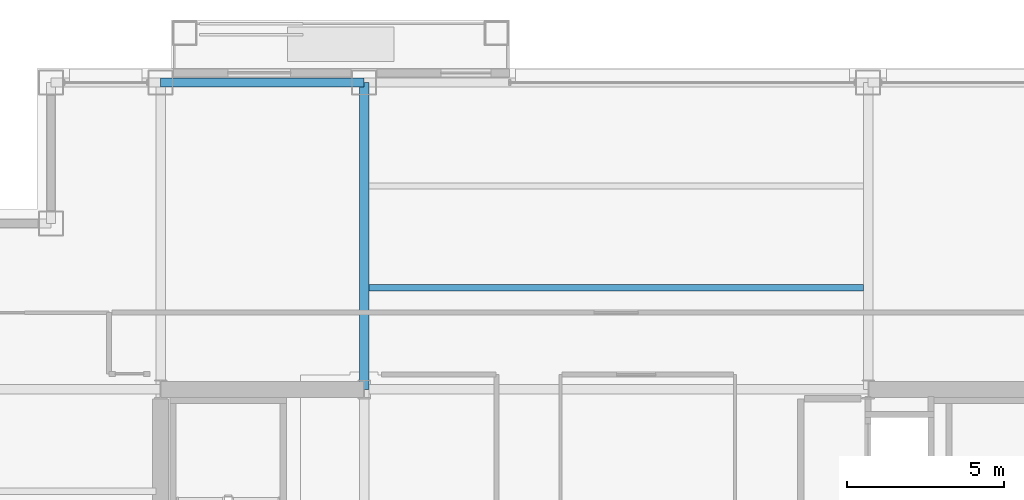
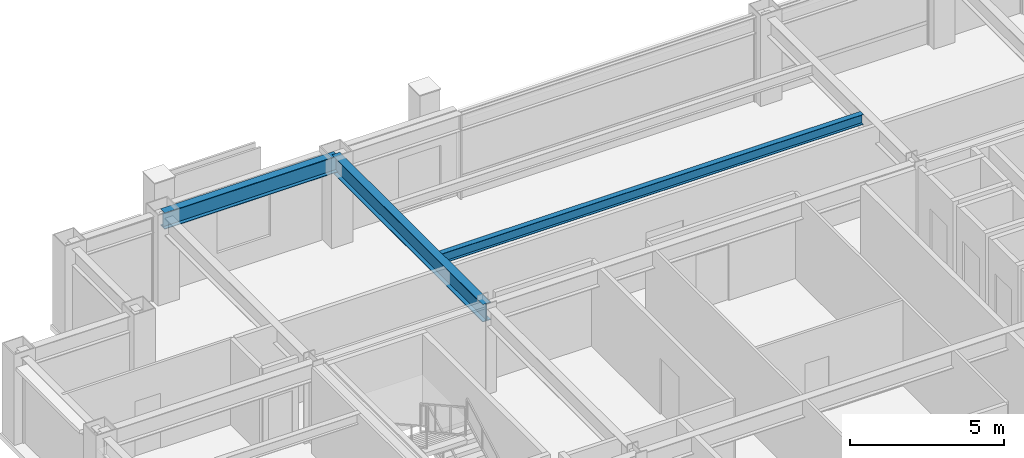
# One storey, part 18 of 29: 3 beams.
"""IFC4 building model written with IfcOpenShell, lengths in metres."""

from ifc_helpers import new_model, si_unit, direction, frame, origin, origin_2d, place, context, subcontext, project, spatial, i_section, extrude, material, material_profile, profile_set, type_object, element, save


model = new_model("IFC4")

# Units and contexts
model_context = context("Model", 3, precision=1e-05, world=origin(), true_north=direction((0.0, 1.0)))
body_context = subcontext(model_context, "Body", "Model", "MODEL_VIEW")
ifc_project = project(units=[si_unit("LENGTHUNIT", "METRE"), si_unit("AREAUNIT", "SQUARE_METRE"), si_unit("VOLUMEUNIT", "CUBIC_METRE"), si_unit("PLANEANGLEUNIT", "RADIAN"), si_unit("MASSUNIT", "GRAM", prefix="KILO")], contexts=[model_context])

# Site, building, storey
site_placement = place(None, origin())
site = spatial("IfcSite", under=ifc_project, at=site_placement, CompositionType="ELEMENT")
building_placement = place(site_placement, origin())
building = spatial("IfcBuilding", under=site, at=building_placement, Name="Brelmoor Portico Tower", CompositionType="ELEMENT")
storey_placement = place(building_placement, frame((0.0, 0.0, 127.800048828125)))
storey = spatial("IfcBuildingStorey", under=building, at=storey_placement, Name="L33", CompositionType="ELEMENT", Elevation=127.800048828125)

# Beams
ifc_material = material(Name="Steel Q355B", Category="steel")
ifc_material_profile_1 = material_profile(ifc_material, i_section(OverallWidth=0.199951171875, OverallDepth=0.39990234375, WebThickness=0.008056640625, FlangeThickness=0.012939453125, at=origin_2d()), Name="HN 400x200x8x13")
ifc_profile_set_1 = profile_set([ifc_material_profile_1], Name="Steel Q355B")
beam_type_1 = type_object("IfcBeamType", Name="BM-JS-400", PredefinedType="JOIST", material=ifc_profile_set_1)
beam_1_placement = place(storey_placement, frame((-7.89990234375, 13.0, 3.199951171875), z_axis=(1.0, 0.0, 0.0), x_axis=(0.0, 1.0, 0.0)))
element("IfcBeam", 1, at=beam_1_placement, inside=storey, type_object=beam_type_1, Name="L33 Secondary Composite Joist JS-C03", PredefinedType="JOIST", context=body_context, shape_type="SweptSolid", body=[
    extrude(i_section(OverallWidth=0.199951171875, OverallDepth=0.39990234375, WebThickness=0.008056640625, FlangeThickness=0.012939453125, at=origin_2d()), origin(), (0.0, 0.0, 1.0), 15.7998046875),
])
ifc_material_profile_2 = material_profile(ifc_material, i_section(OverallWidth=0.300048828125, OverallDepth=0.699951171875, WebThickness=0.012939453125, FlangeThickness=0.02392578125, at=origin_2d()), Name="HN 700x300x13x24")
ifc_profile_set_2 = profile_set([ifc_material_profile_2], Name="Steel Q355B")
beam_type_2 = type_object("IfcBeamType", Name="BM-PG-700", PredefinedType="BEAM", material=ifc_profile_set_2)
beam_2_placement = place(storey_placement, frame((-8.050048828125, 9.75, 3.050048828125), z_axis=(0.0, 1.0, 0.0), x_axis=(-1.0, 0.0, 0.0)))
element("IfcBeam", 2, at=beam_2_placement, inside=storey, type_object=beam_type_2, Name="L33 Primary Floor Girder PG-07", PredefinedType="BEAM", context=body_context, shape_type="SweptSolid", body=[
    extrude(i_section(OverallWidth=0.300048828125, OverallDepth=0.699951171875, WebThickness=0.012939453125, FlangeThickness=0.02392578125, at=origin_2d()), origin(), (0.0, 0.0, 1.0), 9.800048828125),
])
ifc_material_profile_3 = material_profile(ifc_material, i_section(OverallWidth=0.280029296875, OverallDepth=0.64990234375, WebThickness=0.012939453125, FlangeThickness=0.02197265625, at=origin_2d()), Name="HN 650x280x13x22")
ifc_profile_set_3 = profile_set([ifc_material_profile_3], Name="Steel Q355B")
beam_type_3 = type_object("IfcBeamType", Name="BM-SP-650", PredefinedType="SPANDREL", material=ifc_profile_set_3)
beam_3_placement = place(storey_placement, frame((-14.550048828125, 19.550048828125, 3.074951171875), z_axis=(1.0, 0.0, 0.0), x_axis=(0.0, 1.0, 0.0)))
element("IfcBeam", 3, at=beam_3_placement, inside=storey, type_object=beam_type_3, Name="L33 Perimeter Spandrel Beam SP-11", PredefinedType="SPANDREL", context=body_context, shape_type="SweptSolid", body=[
    extrude(i_section(OverallWidth=0.280029296875, OverallDepth=0.64990234375, WebThickness=0.012939453125, FlangeThickness=0.02197265625, at=origin_2d()), origin(), (0.0, 0.0, 1.0), 6.5),
])

save(model, "model.ifc")
